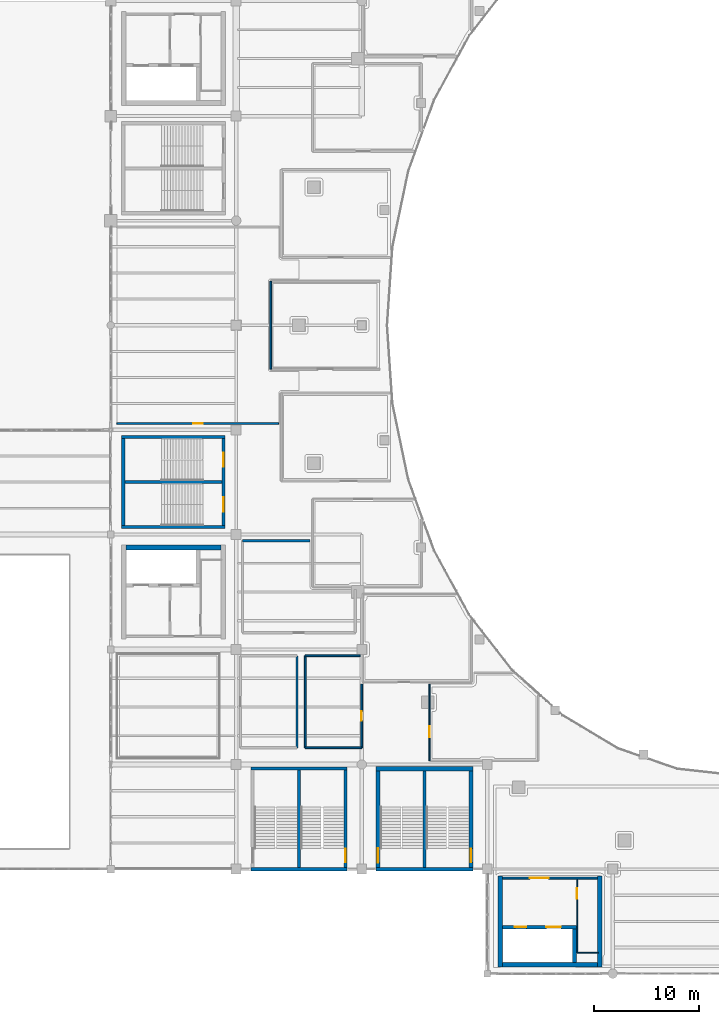
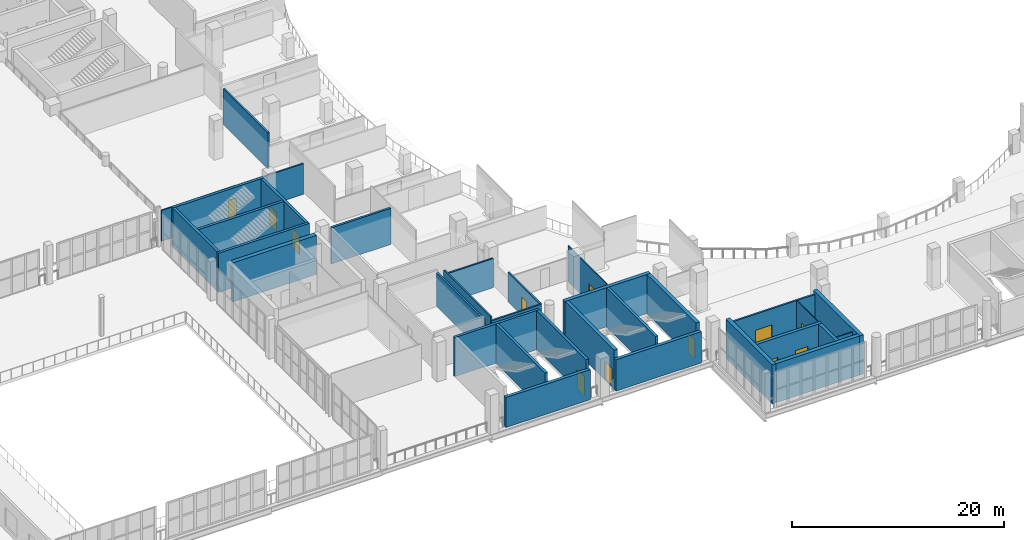
# One storey, part 61 of 90: 32 walls, 12 doors, 12 openings.
"""IFC4 building model written with IfcOpenShell, lengths in metres."""

from ifc_helpers import new_model, si_unit, direction, frame, frame_2d, origin, place, context, subcontext, project, spatial, rectangle, extrude, material, layer, layer_set, type_object, element, fill, save


model = new_model("IFC4")

# Units and contexts
model_context = context("Model", 3, precision=1e-05, world=origin(), true_north=direction((0.0, 1.0)))
body_context = subcontext(model_context, "Body", "Model", "MODEL_VIEW")
ifc_project = project(units=[si_unit("LENGTHUNIT", "METRE"), si_unit("AREAUNIT", "SQUARE_METRE"), si_unit("VOLUMEUNIT", "CUBIC_METRE"), si_unit("PLANEANGLEUNIT", "RADIAN"), si_unit("MASSUNIT", "GRAM", prefix="KILO")], contexts=[model_context])

# Site, building, storey
site_placement = place(None, origin())
site = spatial("IfcSite", under=ifc_project, at=site_placement, CompositionType="ELEMENT")
building_placement = place(site_placement, origin())
building = spatial("IfcBuilding", under=site, at=building_placement, Name="Brinegate Civic Arena", CompositionType="ELEMENT")
storey_placement = place(building_placement, frame((0.0, 0.0, 14.699951171875)))
storey = spatial("IfcBuildingStorey", under=building, at=storey_placement, Name="L03", CompositionType="ELEMENT", Elevation=14.699951171875)

# Wall, openings, doors
ifc_material_1 = material(Name="Concrete C50/60", Category="concrete")
ifc_layer_1 = layer(ifc_material_1, 0.35009765625, Name="Concrete C50/60")
ifc_layer_set_1 = layer_set([ifc_layer_1], Name="Concrete C50/60")
wall_type_1 = type_object("IfcWallType", Name="WALL-CORE-SHEAR-350", PredefinedType="SHEAR", material=ifc_layer_set_1)
wall_1_placement = place(storey_placement, frame((85.4599609375, 4.449951171875, 0.0), z_axis=(0.0, 0.0, 1.0), x_axis=(1.0, 0.0, 0.0)))
wall_1 = element("IfcWall", 1, at=wall_1_placement, inside=storey, type_object=wall_type_1, Name="Core K4 Lift Shaft Front Wall L03 (WBH-27)", PredefinedType="SHEAR", context=body_context, shape_type="SweptSolid", body=[
    extrude(rectangle(XDim=7.06494140625, YDim=0.35009765625, at=frame_2d((3.532470703125, 0.0))), origin(), (0.0, 0.0, 1.0), 4.5),
])
opening_1_placement = place(wall_1_placement, frame((1.18994140625, 0.0, 0.0)))
opening_1 = element("IfcOpeningElement", 2, at=opening_1_placement, cuts=wall_1, Name="Opening LD-PL6-L03", PredefinedType="OPENING", context=body_context, shape_type="SweptSolid", body=[
    extrude(rectangle(XDim=1.10009765625, YDim=2.199951171875, at=frame_2d((0.550048828125, 1.10009765625))), frame((0.0, 0.18505859375, 0.0), z_axis=(0.0, -1.0, 0.0), x_axis=(1.0, 0.0, 0.0)), (0.0, 0.0, 1.0), 0.3701171875),
])
opening_2_placement = place(wall_1_placement, frame((4.18994140625, 0.0, 0.0)))
opening_2 = element("IfcOpeningElement", 3, at=opening_2_placement, cuts=wall_1, Name="Opening LD-GL1-L03", PredefinedType="OPENING", context=body_context, shape_type="SweptSolid", body=[
    extrude(rectangle(XDim=1.39990234375, YDim=2.300048828125, at=frame_2d((0.699951171875, 1.14990234375))), frame((0.0, 0.18505859375, 0.0), z_axis=(0.0, -1.0, 0.0), x_axis=(1.0, 0.0, 0.0)), (0.0, 0.0, 1.0), 0.3701171875),
])
ifc_material_2 = material(Name="Architectural stainless steel balustrade", Category="steel")
door_type_1 = type_object("IfcDoorType", Name="DOOR-LIFT-1100X2200", OperationType="SLIDING_TO_LEFT", PredefinedType="DOOR", material=ifc_material_2)
door_1_placement = place(opening_1_placement, origin())
door_1 = element("IfcDoor", 4, at=door_1_placement, inside=storey, type_object=door_type_1, Name="Sliding Lift Landing Door LD-PL6-L03", OperationType="SLIDING_TO_LEFT", OverallHeight=2.199951171875, OverallWidth=1.10009765625, PredefinedType="DOOR", context=body_context, shape_type="SweptSolid", body=[
    extrude(rectangle(XDim=1.10009765625, YDim=2.199951171875, at=frame_2d((0.550048828125, 1.10009765625))), frame((0.0, 0.02490234375, 0.0), z_axis=(0.0, -1.0, 0.0), x_axis=(1.0, 0.0, 0.0)), (0.0, 0.0, 1.0), 0.050048828125),
])
fill(opening_1, door_1)
door_type_2 = type_object("IfcDoorType", Name="DOOR-LIFT-1400X2300", OperationType="SLIDING_TO_LEFT", PredefinedType="DOOR", material=ifc_material_2)
door_2_placement = place(opening_2_placement, origin())
door_2 = element("IfcDoor", 5, at=door_2_placement, inside=storey, type_object=door_type_2, Name="Sliding Lift Landing Door LD-GL1-L03", OperationType="SLIDING_TO_LEFT", OverallHeight=2.300048828125, OverallWidth=1.39990234375, PredefinedType="DOOR", context=body_context, shape_type="SweptSolid", body=[
    extrude(rectangle(XDim=1.39990234375, YDim=2.300048828125, at=frame_2d((0.699951171875, 1.14990234375))), frame((0.0, 0.02490234375, 0.0), z_axis=(0.0, -1.0, 0.0), x_axis=(1.0, 0.0, 0.0)), (0.0, 0.0, 1.0), 0.050048828125),
])
fill(opening_2, door_2)

# Walls
wall_2_placement = place(storey_placement, frame((92.35009765625, 1.06005859375, 0.0), z_axis=(0.0, 0.0, 1.0), x_axis=(0.0, 1.0, 0.0)))
element("IfcWall", 6, at=wall_2_placement, inside=storey, type_object=wall_type_1, Name="Core K4 Lift Shaft End Wall L03 (WBH-28)", PredefinedType="SHEAR", context=body_context, shape_type="SweptSolid", body=[
    extrude(rectangle(XDim=3.21484375, YDim=0.35009765625, at=frame_2d((1.607421875, 0.0))), origin(), (0.0, 0.0, 1.0), 4.5),
])
ifc_layer_2 = layer(ifc_material_1, 0.389892578125, Name="Concrete C50/60")
ifc_layer_set_2 = layer_set([ifc_layer_2], Name="Concrete C50/60")
wall_type_2 = type_object("IfcWallType", Name="WALL-CORE-SHEAR-390", PredefinedType="SHEAR", material=ifc_layer_set_2)
wall_3_placement = place(storey_placement, frame((73.35498046875, 19.60009765625, 0.0), z_axis=(0.0, 0.0, 1.0), x_axis=(1.0, 0.0, 0.0)))
element("IfcWall", 7, at=wall_3_placement, inside=storey, type_object=wall_type_2, Name="Stair ST-12 North Shear Wall L03 (WBE-21)", PredefinedType="SHEAR", context=body_context, shape_type="SweptSolid", body=[
    extrude(rectangle(XDim=9.2900390625, YDim=0.389892578125, at=frame_2d((4.64501953125, 0.0))), origin(), (0.0, 0.0, 1.0), 4.5),
])

# Wall, opening, door
wall_4_placement = place(storey_placement, frame((73.550048828125, 10.175048828125, 0.0), z_axis=(0.0, 0.0, 1.0), x_axis=(0.0, 1.0, 0.0)))
wall_4 = element("IfcWall", 8, at=wall_4_placement, inside=storey, type_object=wall_type_2, Name="Stair ST-12 West Shear Wall L03 (WBE-22)", PredefinedType="SHEAR", context=body_context, shape_type="SweptSolid", body=[
    extrude(rectangle(XDim=9.22998046875, YDim=0.389892578125, at=frame_2d((4.614990234375, 0.0))), origin(), (0.0, 0.0, 1.0), 4.5),
])
opening_3_placement = place(wall_4_placement, frame((0.425048828125, 0.0, 0.0)))
opening_3 = element("IfcOpeningElement", 9, at=opening_3_placement, cuts=wall_4, Name="Opening D-ST12A-L03", PredefinedType="OPENING", context=body_context, shape_type="SweptSolid", body=[
    extrude(rectangle(XDim=1.39990234375, YDim=2.199951171875, at=frame_2d((0.699951171875, 1.10009765625))), frame((0.0, 0.204833984375, 0.0), z_axis=(0.0, -1.0, 0.0), x_axis=(1.0, 0.0, 0.0)), (0.0, 0.0, 1.0), 0.409912109375),
])
ifc_material_3 = material(Name="Galvanized hurricane steel", Category="steel")
door_type_3 = type_object("IfcDoorType", Name="DOOR-STAIR-2400X2200", OperationType="NOTDEFINED", PredefinedType="DOOR", material=ifc_material_3)
door_3_placement = place(opening_3_placement, frame((1.39990234375, 0.0, 0.0), z_axis=(0.0, 0.0, 1.0), x_axis=(-1.0, 0.0, 0.0)))
door_3 = element("IfcDoor", 10, at=door_3_placement, inside=storey, type_object=door_type_3, Name="Protected Exit Stair Door D-ST12A-L03", OperationType="DOUBLE_DOOR_SINGLE_SWING", OverallHeight=2.199951171875, OverallWidth=1.39990234375, PredefinedType="DOOR", context=body_context, shape_type="SweptSolid", body=[
    extrude(rectangle(XDim=1.39990234375, YDim=2.199951171875, at=frame_2d((0.699951171875, 1.10009765625))), frame((0.0, 0.02490234375, 0.0), z_axis=(0.0, -1.0, 0.0), x_axis=(1.0, 0.0, 0.0)), (0.0, 0.0, 1.0), 0.050048828125),
])
fill(opening_3, door_3)

wall_5_placement = place(storey_placement, frame((82.449951171875, 10.175048828125, 0.0), z_axis=(0.0, 0.0, 1.0), x_axis=(0.0, 1.0, 0.0)))
wall_5 = element("IfcWall", 11, at=wall_5_placement, inside=storey, type_object=wall_type_2, Name="Stair ST-12 East Shear Wall L03 (WBE-23)", PredefinedType="SHEAR", context=body_context, shape_type="SweptSolid", body=[
    extrude(rectangle(XDim=9.22998046875, YDim=0.389892578125, at=frame_2d((4.614990234375, 0.0))), origin(), (0.0, 0.0, 1.0), 4.5),
])
opening_4_placement = place(wall_5_placement, frame((0.465087890625, 0.0, 0.0)))
opening_4 = element("IfcOpeningElement", 12, at=opening_4_placement, cuts=wall_5, Name="Opening D-ST12B-L03", PredefinedType="OPENING", context=body_context, shape_type="SweptSolid", body=[
    extrude(rectangle(XDim=1.320068359375, YDim=2.199951171875, at=frame_2d((0.66015625, 1.10009765625))), frame((0.0, 0.204833984375, 0.0), z_axis=(0.0, -1.0, 0.0), x_axis=(1.0, 0.0, 0.0)), (0.0, 0.0, 1.0), 0.409912109375),
])
door_type_4 = type_object("IfcDoorType", Name="DOOR-STAIR-2200X2200", OperationType="NOTDEFINED", PredefinedType="DOOR", material=ifc_material_3)
door_4_placement = place(opening_4_placement, origin())
door_4 = element("IfcDoor", 13, at=door_4_placement, inside=storey, type_object=door_type_4, Name="Protected Exit Stair Door D-ST12B-L03", OperationType="DOUBLE_DOOR_SINGLE_SWING", OverallHeight=2.199951171875, OverallWidth=1.320068359375, PredefinedType="DOOR", context=body_context, shape_type="SweptSolid", body=[
    extrude(rectangle(XDim=1.320068359375, YDim=2.199951171875, at=frame_2d((0.66015625, 1.10009765625))), frame((0.0, 0.02490234375, 0.0), z_axis=(0.0, -1.0, 0.0), x_axis=(1.0, 0.0, 0.0)), (0.0, 0.0, 1.0), 0.050048828125),
])
fill(opening_4, door_4)

# Walls
ifc_layer_3 = layer(ifc_material_1, 0.419921875, Name="Concrete C50/60")
ifc_layer_set_3 = layer_set([ifc_layer_3], Name="Concrete C50/60")
wall_type_3 = type_object("IfcWallType", Name="WALL-CORE-SHEAR-420", PredefinedType="SHEAR", material=ifc_layer_set_3)
for number, where, z_axis, x_axis, name in (
    (14, (85.25, 0.639892578125, 0.0), (0.0, 0.0, 1.0), (0.0, 1.0, 0.0), "Core K4 West Shear Wall L03 (WBH-24)"),
    (15, (94.75, 0.639892578125, 0.0), (0.0, 0.0, 1.0), (0.0, 1.0, 0.0), "Core K4 East Shear Wall L03 (WBH-25)"),
):
    element("IfcWall", number, at=place(storey_placement, frame(where, z_axis=z_axis, x_axis=x_axis)), inside=storey, type_object=wall_type_3, Name=name, PredefinedType="SHEAR", context=body_context, shape_type="SweptSolid", body=[
        extrude(rectangle(XDim=8.72021484375, YDim=0.419921875, at=frame_2d((4.360107421875, 0.0))), origin(), (0.0, 0.0, 1.0), 4.5),
    ])
wall_6_placement = place(storey_placement, frame((85.4599609375, 0.85009765625, 0.0), z_axis=(0.0, 0.0, 1.0), x_axis=(1.0, 0.0, 0.0)))
element("IfcWall", 16, at=wall_6_placement, inside=storey, type_object=wall_type_3, Name="Core K4 South Shear Wall L03 (WBH-26)", PredefinedType="SHEAR", context=body_context, shape_type="SweptSolid", body=[
    extrude(rectangle(XDim=9.080078125, YDim=0.419921875, at=frame_2d((4.5400390625, 0.0))), origin(), (0.0, 0.0, 1.0), 4.5),
])
ifc_layer_4 = layer(ifc_material_1, 0.449951171875, Name="Concrete C50/60")
ifc_layer_set_4 = layer_set([ifc_layer_4], Name="Concrete C50/60")
wall_type_4 = type_object("IfcWallType", Name="WALL-CORE-SHEAR-450", PredefinedType="SHEAR", material=ifc_layer_set_4)
wall_7_placement = place(storey_placement, frame((49.47509765625, 40.75, 0.0), z_axis=(0.0, 0.0, 1.0), x_axis=(1.0, 0.0, 0.0)))
element("IfcWall", 17, at=wall_7_placement, inside=storey, type_object=wall_type_4, Name="Core K2 North Shear Wall L03 (WBG-20)", PredefinedType="SHEAR", context=body_context, shape_type="SweptSolid", body=[
    extrude(rectangle(XDim=9.0498046875, YDim=0.449951171875, at=frame_2d((4.52490234375, 0.0))), origin(), (0.0, 0.0, 1.0), 4.5),
])
ifc_layer_5 = layer(ifc_material_1, 0.35009765625, Name="Concrete C50/60")
ifc_layer_set_5 = layer_set([ifc_layer_5], Name="Concrete C50/60")
wall_type_5 = type_object("IfcWallType", Name="WALL-EXT-STAIR-SHEAR-350", PredefinedType="SHEAR", material=ifc_layer_set_5)
wall_8_placement = place(storey_placement, frame((61.405029296875, 10.0, 0.0), z_axis=(0.0, 0.0, 1.0), x_axis=(1.0, 0.0, 0.0)))
element("IfcWall", 18, at=wall_8_placement, inside=storey, type_object=wall_type_5, Name="Stair ST-02 South Shear Wall L03 (WBB-47)", PredefinedType="SHEAR", context=body_context, shape_type="SweptSolid", body=[
    extrude(rectangle(XDim=9.18994140625, YDim=0.35009765625, at=frame_2d((4.594970703125, 0.0))), origin(), (0.0, 0.0, 1.0), 3.447021484375),
])
wall_9_placement = place(storey_placement, frame((73.35498046875, 10.0, 0.0), z_axis=(0.0, 0.0, 1.0), x_axis=(1.0, 0.0, 0.0)))
element("IfcWall", 19, at=wall_9_placement, inside=storey, type_object=wall_type_5, Name="Stair ST-12 South Shear Wall L03 (WBE-20)", PredefinedType="SHEAR", context=body_context, shape_type="SweptSolid", body=[
    extrude(rectangle(XDim=9.2900390625, YDim=0.35009765625, at=frame_2d((4.64501953125, 0.0))), origin(), (0.0, 0.0, 1.0), 3.595947265625),
])
ifc_material_4 = material(Name="Concrete C40/50", Category="concrete")
ifc_layer_6 = layer(ifc_material_4, 0.2099609375, Name="Concrete C40/50")
ifc_layer_set_6 = layer_set([ifc_layer_6], Name="Concrete C40/50")
wall_type_6 = type_object("IfcWallType", Name="WALL-INT-SOLID-210", PredefinedType="SOLIDWALL", material=ifc_layer_set_6)
wall_10_placement = place(storey_placement, frame((65.800048828125, 30.39990234375, 0.0), z_axis=(0.0, 0.0, 1.0), x_axis=(0.0, -1.0, 0.0)))
element("IfcWall", 20, at=wall_10_placement, inside=storey, type_object=wall_type_6, Name="Hospitality Male Toilet L03 Partition Wall E1 (WBK-18)", PredefinedType="SOLIDWALL", context=body_context, shape_type="SweptSolid", body=[
    extrude(rectangle(XDim=8.7998046875, YDim=0.2099609375, at=frame_2d((4.39990234375, 0.0))), origin(), (0.0, 0.0, 1.0), 3.830078125),
])
ifc_layer_7 = layer(ifc_material_4, 0.22998046875, Name="Concrete C40/50")
ifc_layer_set_7 = layer_set([ifc_layer_7], Name="Concrete C40/50")
wall_type_7 = type_object("IfcWallType", Name="WALL-INT-SOLID-230", PredefinedType="SOLIDWALL", material=ifc_layer_set_7)
wall_11_placement = place(storey_placement, frame((60.60009765625, 41.39990234375, 0.0), z_axis=(0.0, 0.0, 1.0), x_axis=(1.0, 0.0, 0.0)))
element("IfcWall", 21, at=wall_11_placement, inside=storey, type_object=wall_type_7, Name="Suite Concierge Reception and Business Lounge Partition Wall E16 (WBK-17)", PredefinedType="SOLIDWALL", context=body_context, shape_type="SweptSolid", body=[
    extrude(rectangle(XDim=6.447998046875, YDim=0.22998046875, at=frame_2d((3.22412109375, 0.0))), origin(), (0.0, 0.0, 1.0), 4.16015625),
])

# Wall, opening, door
ifc_material_5 = material(Name="Fire-rated gypsum partition assembly")
ifc_layer_8 = layer(ifc_material_5, 0.159912109375, Name="Fire-rated gypsum partition assembly")
ifc_layer_set_8 = layer_set([ifc_layer_8], Name="Fire-rated gypsum partition assembly")
wall_type_8 = type_object("IfcWallType", Name="WALL-PART-RATED-160", PredefinedType="PARTITIONING", material=ifc_layer_set_8)
wall_12_placement = place(storey_placement, frame((64.06201171875, 52.60009765625, 0.0), z_axis=(0.0, 0.0, 1.0), x_axis=(-1.0, 0.0, 0.0)))
wall_12 = element("IfcWall", 22, at=wall_12_placement, inside=storey, type_object=wall_type_8, Name="West Suite Founders Dining Salon Partition Wall E46 (WBK-26)", PredefinedType="PARTITIONING", context=body_context, shape_type="SweptSolid", body=[
    extrude(rectangle(XDim=15.4619140625, YDim=0.159912109375, at=frame_2d((7.73095703125, 0.0))), origin(), (0.0, 0.0, 1.0), 3.529052734375),
])
opening_5_placement = place(wall_12_placement, frame((7.281005859375, 0.0, 0.0)))
opening_5 = element("IfcOpeningElement", 23, at=opening_5_placement, cuts=wall_12, Name="Opening D-L03-214", PredefinedType="OPENING", context=body_context, shape_type="SweptSolid", body=[
    extrude(rectangle(XDim=0.89990234375, YDim=2.10009765625, at=frame_2d((0.449951171875, 1.050048828125))), frame((0.0, 0.08984375, 0.0), z_axis=(0.0, -1.0, 0.0), x_axis=(1.0, 0.0, 0.0)), (0.0, 0.0, 1.0), 0.179931640625),
])
ifc_material_6 = material(Name="Hardwood acoustic timber door", Category="wood")
door_type_5 = type_object("IfcDoorType", Name="DOOR-WC-900X2100", OperationType="NOTDEFINED", PredefinedType="DOOR", material=ifc_material_6)
door_5_placement = place(opening_5_placement, origin())
door_5 = element("IfcDoor", 24, at=door_5_placement, inside=storey, type_object=door_type_5, Name="West Suite Founders Dining Salon Door D-L03-214", OperationType="SINGLE_SWING_LEFT", OverallHeight=2.10009765625, OverallWidth=0.89990234375, PredefinedType="DOOR", context=body_context, shape_type="SweptSolid", body=[
    extrude(rectangle(XDim=0.89990234375, YDim=2.10009765625, at=frame_2d((0.449951171875, 1.050048828125))), frame((0.0, 0.02490234375, 0.0), z_axis=(0.0, -1.0, 0.0), x_axis=(1.0, 0.0, 0.0)), (0.0, 0.0, 1.0), 0.050048828125),
])
fill(opening_5, door_5)

# Wall
ifc_layer_9 = layer(ifc_material_5, 0.175048828125, Name="Fire-rated gypsum partition assembly")
ifc_layer_set_9 = layer_set([ifc_layer_9], Name="Fire-rated gypsum partition assembly")
wall_type_9 = type_object("IfcWallType", Name="WALL-PART-RATED-175", PredefinedType="PARTITIONING", material=ifc_layer_set_9)
wall_13_placement = place(storey_placement, frame((63.300048828125, 57.800048828125, 0.0), z_axis=(0.0, 0.0, 1.0), x_axis=(0.0, 1.0, 0.0)))
element("IfcWall", 25, at=wall_13_placement, inside=storey, type_object=wall_type_9, Name="Hospitality Suite L03-14 Partition Wall E3 (WBJ-92)", PredefinedType="PARTITIONING", context=body_context, shape_type="SweptSolid", body=[
    extrude(rectangle(XDim=8.39990234375, YDim=0.175048828125, at=frame_2d((4.199951171875, 0.0))), origin(), (0.0, 0.0, 1.0), 4.16015625),
])

# Wall, opening, door
wall_14_placement = place(storey_placement, frame((72.0, 27.678955078125, 0.0), z_axis=(0.0, 0.0, 1.0), x_axis=(0.0, -1.0, 0.0)))
wall_14 = element("IfcWall", 26, at=wall_14_placement, inside=storey, type_object=wall_type_9, Name="Hospitality Female Toilet L03 Partition Wall E9 (WBK-22)", PredefinedType="PARTITIONING", context=body_context, shape_type="SweptSolid", body=[
    extrude(rectangle(XDim=6.078857421875, YDim=0.175048828125, at=frame_2d((3.03955078125, 0.0))), origin(), (0.0, 0.0, 1.0), 3.3701171875),
])
opening_6_placement = place(wall_14_placement, frame((2.590087890625, 0.0, 0.0)))
opening_6 = element("IfcOpeningElement", 27, at=opening_6_placement, cuts=wall_14, Name="Opening D-L03-213", PredefinedType="OPENING", context=body_context, shape_type="SweptSolid", body=[
    extrude(rectangle(XDim=0.89990234375, YDim=2.10009765625, at=frame_2d((0.449951171875, 1.050048828125))), frame((0.0, 0.097412109375, 0.0), z_axis=(0.0, -1.0, 0.0), x_axis=(1.0, 0.0, 0.0)), (0.0, 0.0, 1.0), 0.195068359375),
])
door_6_placement = place(opening_6_placement, origin())
door_6 = element("IfcDoor", 28, at=door_6_placement, inside=storey, type_object=door_type_5, Name="Hospitality Female Toilet L03 Door D-L03-213", OperationType="SINGLE_SWING_RIGHT", OverallHeight=2.10009765625, OverallWidth=0.89990234375, PredefinedType="DOOR", context=body_context, shape_type="SweptSolid", body=[
    extrude(rectangle(XDim=0.89990234375, YDim=2.10009765625, at=frame_2d((0.449951171875, 1.050048828125))), frame((0.0, 0.02490234375, 0.0), z_axis=(0.0, -1.0, 0.0), x_axis=(1.0, 0.0, 0.0)), (0.0, 0.0, 1.0), 0.050048828125),
])
fill(opening_6, door_6)

# Walls
wall_15_placement = place(storey_placement, frame((72.0, 21.60009765625, 0.0), z_axis=(0.0, 0.0, 1.0), x_axis=(-1.0, 0.0, 0.0)))
element("IfcWall", 29, at=wall_15_placement, inside=storey, type_object=wall_type_9, Name="Hospitality Female Toilet L03 Partition Wall E10 (WBK-23)", PredefinedType="PARTITIONING", context=body_context, shape_type="SweptSolid", body=[
    extrude(rectangle(XDim=5.39990234375, YDim=0.175048828125, at=frame_2d((2.699951171875, 0.0))), origin(), (0.0, 0.0, 1.0), 3.3701171875),
])
wall_16_placement = place(storey_placement, frame((66.60009765625, 21.60009765625, 0.0), z_axis=(0.0, 0.0, 1.0), x_axis=(0.0, 1.0, 0.0)))
element("IfcWall", 30, at=wall_16_placement, inside=storey, type_object=wall_type_9, Name="Hospitality Female Toilet L03 Partition Wall E11 (WBK-24)", PredefinedType="PARTITIONING", context=body_context, shape_type="SweptSolid", body=[
    extrude(rectangle(XDim=8.7998046875, YDim=0.175048828125, at=frame_2d((4.39990234375, 0.0))), origin(), (0.0, 0.0, 1.0), 3.830078125),
])
wall_17_placement = place(storey_placement, frame((66.60009765625, 30.39990234375, 0.0), z_axis=(0.0, 0.0, 1.0), x_axis=(1.0, 0.0, 0.0)))
element("IfcWall", 31, at=wall_17_placement, inside=storey, type_object=wall_type_9, Name="Hospitality Female Toilet L03 Partition Wall E12 (WBK-25)", PredefinedType="PARTITIONING", context=body_context, shape_type="SweptSolid", body=[
    extrude(rectangle(XDim=5.2529296875, YDim=0.175048828125, at=frame_2d((2.62646484375, 0.0))), origin(), (0.0, 0.0, 1.0), 3.3701171875),
])

# Wall, opening, door
ifc_material_7 = material(Name="Concrete blockwork masonry", Category="masonry")
ifc_layer_10 = layer(ifc_material_7, 0.18994140625, Name="Concrete blockwork masonry")
ifc_layer_set_10 = layer_set([ifc_layer_10], Name="Concrete blockwork masonry")
wall_type_10 = type_object("IfcWallType", Name="WALL-PART-RATED-190", PredefinedType="PARTITIONING", material=ifc_layer_set_10)
wall_18_placement = place(storey_placement, frame((85.469970703125, 9.14990234375, 0.0), z_axis=(0.0, 0.0, 1.0), x_axis=(1.0, 0.0, 0.0)))
wall_18 = element("IfcWall", 32, at=wall_18_placement, inside=storey, type_object=wall_type_10, Name="Core K4 Concourse Lobby Wall L03 (WBH-29)", PredefinedType="PARTITIONING", context=body_context, shape_type="SweptSolid", body=[
    extrude(rectangle(XDim=9.06005859375, YDim=0.18994140625, at=frame_2d((4.530029296875, 0.0))), origin(), (0.0, 0.0, 1.0), 4.16015625),
])
opening_7_placement = place(wall_18_placement, frame((2.60009765625, 0.0, 0.0)))
opening_7 = element("IfcOpeningElement", 33, at=opening_7_placement, cuts=wall_18, Name="Opening D-K4L-L03", PredefinedType="OPENING", context=body_context, shape_type="SweptSolid", body=[
    extrude(rectangle(XDim=1.800048828125, YDim=2.300048828125, at=frame_2d((0.89990234375, 1.14990234375))), frame((0.0, 0.10498046875, 0.0), z_axis=(0.0, -1.0, 0.0), x_axis=(1.0, 0.0, 0.0)), (0.0, 0.0, 1.0), 0.2099609375),
])
ifc_material_8 = material(Name="Marine grade aluminium", Category="aluminium")
door_type_6 = type_object("IfcDoorType", Name="DOOR-CONC-1800X2300", OperationType="NOTDEFINED", PredefinedType="DOOR", material=ifc_material_8)
door_7_placement = place(opening_7_placement, origin())
door_7 = element("IfcDoor", 34, at=door_7_placement, inside=storey, type_object=door_type_6, Name="Lift Lobby Door D-K4L-L03", OperationType="DOUBLE_DOOR_SINGLE_SWING", OverallHeight=2.300048828125, OverallWidth=1.800048828125, PredefinedType="DOOR", context=body_context, shape_type="SweptSolid", body=[
    extrude(rectangle(XDim=1.800048828125, YDim=2.300048828125, at=frame_2d((0.89990234375, 1.14990234375))), frame((0.0, 0.02490234375, 0.0), z_axis=(0.0, -1.0, 0.0), x_axis=(1.0, 0.0, 0.0)), (0.0, 0.0, 1.0), 0.050048828125),
])
fill(opening_7, door_7)

ifc_layer_11 = layer(ifc_material_5, 0.114990234375, Name="Fire-rated gypsum partition assembly")
ifc_layer_set_11 = layer_set([ifc_layer_11], Name="Fire-rated gypsum partition assembly")
wall_type_11 = type_object("IfcWallType", Name="WALL-PART-STD-115", PredefinedType="PARTITIONING", material=ifc_layer_set_11)
wall_19_placement = place(storey_placement, frame((78.48095703125, 20.368896484375, 0.0), z_axis=(0.0, 0.0, 1.0), x_axis=(0.0, 1.0, 0.0)))
wall_19 = element("IfcWall", 35, at=wall_19_placement, inside=storey, type_object=wall_type_11, Name="Hospitality Suite L03-18 Partition Wall E1 (WBK-06)", PredefinedType="PARTITIONING", context=body_context, shape_type="SweptSolid", body=[
    extrude(rectangle(XDim=7.2880859375, YDim=0.114990234375, at=frame_2d((3.64404296875, 0.0))), origin(), (0.0, 0.0, 1.0), 4.16015625),
])
opening_8_placement = place(wall_19_placement, frame((2.243896484375, 0.0, 0.0)))
opening_8 = element("IfcOpeningElement", 36, at=opening_8_placement, cuts=wall_19, Name="Opening D-L03-209", PredefinedType="OPENING", context=body_context, shape_type="SweptSolid", body=[
    extrude(rectangle(XDim=1.050048828125, YDim=2.199951171875, at=frame_2d((0.52490234375, 1.10009765625))), frame((0.0, 0.0673828125, 0.0), z_axis=(0.0, -1.0, 0.0), x_axis=(1.0, 0.0, 0.0)), (0.0, 0.0, 1.0), 0.135009765625),
])
door_type_7 = type_object("IfcDoorType", Name="DOOR-SUITE-1050X2200", OperationType="NOTDEFINED", PredefinedType="DOOR", material=ifc_material_6)
door_8_placement = place(opening_8_placement, origin())
door_8 = element("IfcDoor", 37, at=door_8_placement, inside=storey, type_object=door_type_7, Name="Hospitality Suite L03-18 Door D-L03-209", OperationType="SINGLE_SWING_LEFT", OverallHeight=2.199951171875, OverallWidth=1.050048828125, PredefinedType="DOOR", context=body_context, shape_type="SweptSolid", body=[
    extrude(rectangle(XDim=1.050048828125, YDim=2.199951171875, at=frame_2d((0.52490234375, 1.10009765625))), frame((0.0, 0.02490234375, 0.0), z_axis=(0.0, -1.0, 0.0), x_axis=(1.0, 0.0, 0.0)), (0.0, 0.0, 1.0), 0.050048828125),
])
fill(opening_8, door_8)

ifc_layer_12 = layer(ifc_material_7, 0.10009765625, Name="Concrete blockwork masonry")
ifc_layer_set_12 = layer_set([ifc_layer_12], Name="Concrete blockwork masonry")
wall_type_12 = type_object("IfcWallType", Name="WALL-PART-WET-100", PredefinedType="PARTITIONING", material=ifc_layer_set_12)
wall_20_placement = place(storey_placement, frame((92.60009765625, 2.0, 0.0), z_axis=(0.0, 0.0, 1.0), x_axis=(0.0, 1.0, 0.0)))
wall_20 = element("IfcWall", 38, at=wall_20_placement, inside=storey, type_object=wall_type_12, Name="Accessible WC K4 Partition L03 (WBH-30)", PredefinedType="PARTITIONING", context=body_context, shape_type="SweptSolid", body=[
    extrude(rectangle(XDim=7.050048828125, YDim=0.10009765625, at=frame_2d((3.52490234375, 0.0))), origin(), (0.0, 0.0, 1.0), 4.16015625),
])
opening_9_placement = place(wall_20_placement, frame((5.14990234375, 0.0, 0.0)))
opening_9 = element("IfcOpeningElement", 39, at=opening_9_placement, cuts=wall_20, Name="Opening D-K4W-L03", PredefinedType="OPENING", context=body_context, shape_type="SweptSolid", body=[
    extrude(rectangle(XDim=1.0, YDim=2.10009765625, at=frame_2d((0.5, 1.050048828125))), frame((0.0, 0.06005859375, 0.0), z_axis=(0.0, -1.0, 0.0), x_axis=(1.0, 0.0, 0.0)), (0.0, 0.0, 1.0), 0.1201171875),
])
door_type_8 = type_object("IfcDoorType", Name="DOOR-AWC-1000X2100", OperationType="NOTDEFINED", PredefinedType="DOOR", material=ifc_material_6)
door_9_placement = place(opening_9_placement, origin())
door_9 = element("IfcDoor", 40, at=door_9_placement, inside=storey, type_object=door_type_8, Name="Accessible WC Door D-K4W-L03", OperationType="SINGLE_SWING_RIGHT", OverallHeight=2.10009765625, OverallWidth=1.0, PredefinedType="DOOR", context=body_context, shape_type="SweptSolid", body=[
    extrude(rectangle(XDim=1.0, YDim=2.10009765625, at=frame_2d((0.5, 1.050048828125))), frame((0.0, 0.02490234375, 0.0), z_axis=(0.0, -1.0, 0.0), x_axis=(1.0, 0.0, 0.0)), (0.0, 0.0, 1.0), 0.050048828125),
])
fill(opening_9, door_9)

# Walls
wall_21_placement = place(storey_placement, frame((92.60009765625, 2.0, 0.0), z_axis=(0.0, 0.0, 1.0), x_axis=(1.0, 0.0, 0.0)))
element("IfcWall", 41, at=wall_21_placement, inside=storey, type_object=wall_type_12, Name="Accessible WC K4 Back Partition L03 (WBH-31)", PredefinedType="PARTITIONING", context=body_context, shape_type="SweptSolid", body=[
    extrude(rectangle(XDim=2.0, YDim=0.10009765625, at=frame_2d((1.0, 0.0))), origin(), (0.0, 0.0, 1.0), 4.16015625),
])
ifc_layer_13 = layer(ifc_material_1, 0.2900390625, Name="Concrete C50/60")
ifc_layer_set_13 = layer_set([ifc_layer_13], Name="Concrete C50/60")
wall_type_13 = type_object("IfcWallType", Name="WALL-STAIR-SHEAR-290", PredefinedType="SHEAR", material=ifc_layer_set_13)
wall_22_placement = place(storey_placement, frame((61.405029296875, 19.60009765625, 0.0), z_axis=(0.0, 0.0, 1.0), x_axis=(1.0, 0.0, 0.0)))
element("IfcWall", 42, at=wall_22_placement, inside=storey, type_object=wall_type_13, Name="Stair ST-02 North Shear Wall L03 (WBB-48)", PredefinedType="SHEAR", context=body_context, shape_type="SweptSolid", body=[
    extrude(rectangle(XDim=9.18994140625, YDim=0.2900390625, at=frame_2d((4.594970703125, 0.0))), origin(), (0.0, 0.0, 1.0), 4.5),
])

# Wall, opening, door
wall_23_placement = place(storey_placement, frame((70.449951171875, 10.175048828125, 0.0), z_axis=(0.0, 0.0, 1.0), x_axis=(0.0, 1.0, 0.0)))
wall_23 = element("IfcWall", 43, at=wall_23_placement, inside=storey, type_object=wall_type_13, Name="Stair ST-02 East Shear Wall L03 (WBB-50)", PredefinedType="SHEAR", context=body_context, shape_type="SweptSolid", body=[
    extrude(rectangle(XDim=9.280029296875, YDim=0.2900390625, at=frame_2d((4.64013671875, 0.0))), origin(), (0.0, 0.0, 1.0), 4.5),
])
opening_10_placement = place(wall_23_placement, frame((0.465087890625, 0.0, 0.0)))
opening_10 = element("IfcOpeningElement", 44, at=opening_10_placement, cuts=wall_23, Name="Opening D-ST02B-L03", PredefinedType="OPENING", context=body_context, shape_type="SweptSolid", body=[
    extrude(rectangle(XDim=1.320068359375, YDim=2.199951171875, at=frame_2d((0.66015625, 1.10009765625))), frame((0.0, 0.155029296875, 0.0), z_axis=(0.0, -1.0, 0.0), x_axis=(1.0, 0.0, 0.0)), (0.0, 0.0, 1.0), 0.31005859375),
])
door_10_placement = place(opening_10_placement, origin())
door_10 = element("IfcDoor", 45, at=door_10_placement, inside=storey, type_object=door_type_4, Name="Protected Exit Stair Door D-ST02B-L03", OperationType="DOUBLE_DOOR_SINGLE_SWING", OverallHeight=2.199951171875, OverallWidth=1.320068359375, PredefinedType="DOOR", context=body_context, shape_type="SweptSolid", body=[
    extrude(rectangle(XDim=1.320068359375, YDim=2.199951171875, at=frame_2d((0.66015625, 1.10009765625))), frame((0.0, 0.02490234375, 0.0), z_axis=(0.0, -1.0, 0.0), x_axis=(1.0, 0.0, 0.0)), (0.0, 0.0, 1.0), 0.050048828125),
])
fill(opening_10, door_10)

# Walls
wall_24_placement = place(storey_placement, frame((66.0, 10.175048828125, 0.0), z_axis=(0.0, 0.0, 1.0), x_axis=(0.0, 1.0, 0.0)))
element("IfcWall", 46, at=wall_24_placement, inside=storey, type_object=wall_type_13, Name="Stair ST-02 Central Dividing Shear Wall L03 (WBB-51)", PredefinedType="SHEAR", context=body_context, shape_type="SweptSolid", body=[
    extrude(rectangle(XDim=9.280029296875, YDim=0.2900390625, at=frame_2d((4.64013671875, 0.0))), origin(), (0.0, 0.0, 1.0), 4.5),
])
for number, where, z_axis, x_axis, name in (
    (47, (49.054931640625, 42.699951171875, 0.0), (0.0, 0.0, 1.0), (1.0, 0.0, 0.0), "Stair ST-08 South Shear Wall L03 (WBD-14)"),
    (48, (49.054931640625, 51.300048828125, 0.0), (0.0, 0.0, 1.0), (1.0, 0.0, 0.0), "Stair ST-08 North Shear Wall L03 (WBD-15)"),
):
    element("IfcWall", number, at=place(storey_placement, frame(where, z_axis=z_axis, x_axis=x_axis)), inside=storey, type_object=wall_type_13, Name=name, PredefinedType="SHEAR", context=body_context, shape_type="SweptSolid", body=[
        extrude(rectangle(XDim=9.89013671875, YDim=0.2900390625, at=frame_2d((4.945068359375, 0.0))), origin(), (0.0, 0.0, 1.0), 4.5),
    ])
wall_25_placement = place(storey_placement, frame((49.199951171875, 42.844970703125, 0.0), z_axis=(0.0, 0.0, 1.0), x_axis=(0.0, 1.0, 0.0)))
element("IfcWall", 49, at=wall_25_placement, inside=storey, type_object=wall_type_13, Name="Stair ST-08 West Shear Wall L03 (WBD-16)", PredefinedType="SHEAR", context=body_context, shape_type="SweptSolid", body=[
    extrude(rectangle(XDim=8.31005859375, YDim=0.2900390625, at=frame_2d((4.155029296875, 0.0))), origin(), (0.0, 0.0, 1.0), 4.5),
])

# Wall, openings, doors
wall_26_placement = place(storey_placement, frame((58.800048828125, 42.844970703125, 0.0), z_axis=(0.0, 0.0, 1.0), x_axis=(0.0, 1.0, 0.0)))
wall_26 = element("IfcWall", 50, at=wall_26_placement, inside=storey, type_object=wall_type_13, Name="Stair ST-08 East Shear Wall L03 (WBD-17)", PredefinedType="SHEAR", context=body_context, shape_type="SweptSolid", body=[
    extrude(rectangle(XDim=8.31005859375, YDim=0.2900390625, at=frame_2d((4.155029296875, 0.0))), origin(), (0.0, 0.0, 1.0), 4.5),
])
opening_11_placement = place(wall_26_placement, frame((1.304931640625, 0.0, 0.0)))
opening_11 = element("IfcOpeningElement", 51, at=opening_11_placement, cuts=wall_26, Name="Opening D-ST08A-L03", PredefinedType="OPENING", context=body_context, shape_type="SweptSolid", body=[
    extrude(rectangle(XDim=1.39990234375, YDim=2.199951171875, at=frame_2d((0.699951171875, 1.10009765625))), frame((0.0, 0.155029296875, 0.0), z_axis=(0.0, -1.0, 0.0), x_axis=(1.0, 0.0, 0.0)), (0.0, 0.0, 1.0), 0.31005859375),
])
opening_12_placement = place(wall_26_placement, frame((5.64501953125, 0.0, 0.0)))
opening_12 = element("IfcOpeningElement", 52, at=opening_12_placement, cuts=wall_26, Name="Opening D-ST08B-L03", PredefinedType="OPENING", context=body_context, shape_type="SweptSolid", body=[
    extrude(rectangle(XDim=1.320068359375, YDim=2.199951171875, at=frame_2d((0.66015625, 1.10009765625))), frame((0.0, 0.155029296875, 0.0), z_axis=(0.0, -1.0, 0.0), x_axis=(1.0, 0.0, 0.0)), (0.0, 0.0, 1.0), 0.31005859375),
])
door_11_placement = place(opening_12_placement, origin())
door_11 = element("IfcDoor", 53, at=door_11_placement, inside=storey, type_object=door_type_4, Name="Protected Exit Stair Door D-ST08B-L03", OperationType="DOUBLE_DOOR_SINGLE_SWING", OverallHeight=2.199951171875, OverallWidth=1.320068359375, PredefinedType="DOOR", context=body_context, shape_type="SweptSolid", body=[
    extrude(rectangle(XDim=1.320068359375, YDim=2.199951171875, at=frame_2d((0.66015625, 1.10009765625))), frame((0.0, 0.02490234375, 0.0), z_axis=(0.0, -1.0, 0.0), x_axis=(1.0, 0.0, 0.0)), (0.0, 0.0, 1.0), 0.050048828125),
])
fill(opening_12, door_11)
door_12_placement = place(opening_11_placement, origin())
door_12 = element("IfcDoor", 54, at=door_12_placement, inside=storey, type_object=door_type_3, Name="Protected Exit Stair Door D-ST08A-L03", OperationType="DOUBLE_DOOR_SINGLE_SWING", OverallHeight=2.199951171875, OverallWidth=1.39990234375, PredefinedType="DOOR", context=body_context, shape_type="SweptSolid", body=[
    extrude(rectangle(XDim=1.39990234375, YDim=2.199951171875, at=frame_2d((0.699951171875, 1.10009765625))), frame((0.0, 0.02490234375, 0.0), z_axis=(0.0, -1.0, 0.0), x_axis=(1.0, 0.0, 0.0)), (0.0, 0.0, 1.0), 0.050048828125),
])
fill(opening_11, door_12)

# Walls
wall_27_placement = place(storey_placement, frame((49.344970703125, 47.0, 0.0), z_axis=(0.0, 0.0, 1.0), x_axis=(1.0, 0.0, 0.0)))
element("IfcWall", 55, at=wall_27_placement, inside=storey, type_object=wall_type_13, Name="Stair ST-08 Central Dividing Shear Wall L03 (WBD-18)", PredefinedType="SHEAR", context=body_context, shape_type="SweptSolid", body=[
    extrude(rectangle(XDim=9.31005859375, YDim=0.2900390625, at=frame_2d((4.655029296875, 0.0))), origin(), (0.0, 0.0, 1.0), 4.5),
])
wall_28_placement = place(storey_placement, frame((78.0, 10.175048828125, 0.0), z_axis=(0.0, 0.0, 1.0), x_axis=(0.0, 1.0, 0.0)))
element("IfcWall", 56, at=wall_28_placement, inside=storey, type_object=wall_type_13, Name="Stair ST-12 Central Dividing Shear Wall L03 (WBE-24)", PredefinedType="SHEAR", context=body_context, shape_type="SweptSolid", body=[
    extrude(rectangle(XDim=9.22998046875, YDim=0.2900390625, at=frame_2d((4.614990234375, 0.0))), origin(), (0.0, 0.0, 1.0), 4.5),
])

save(model, "model.ifc")
